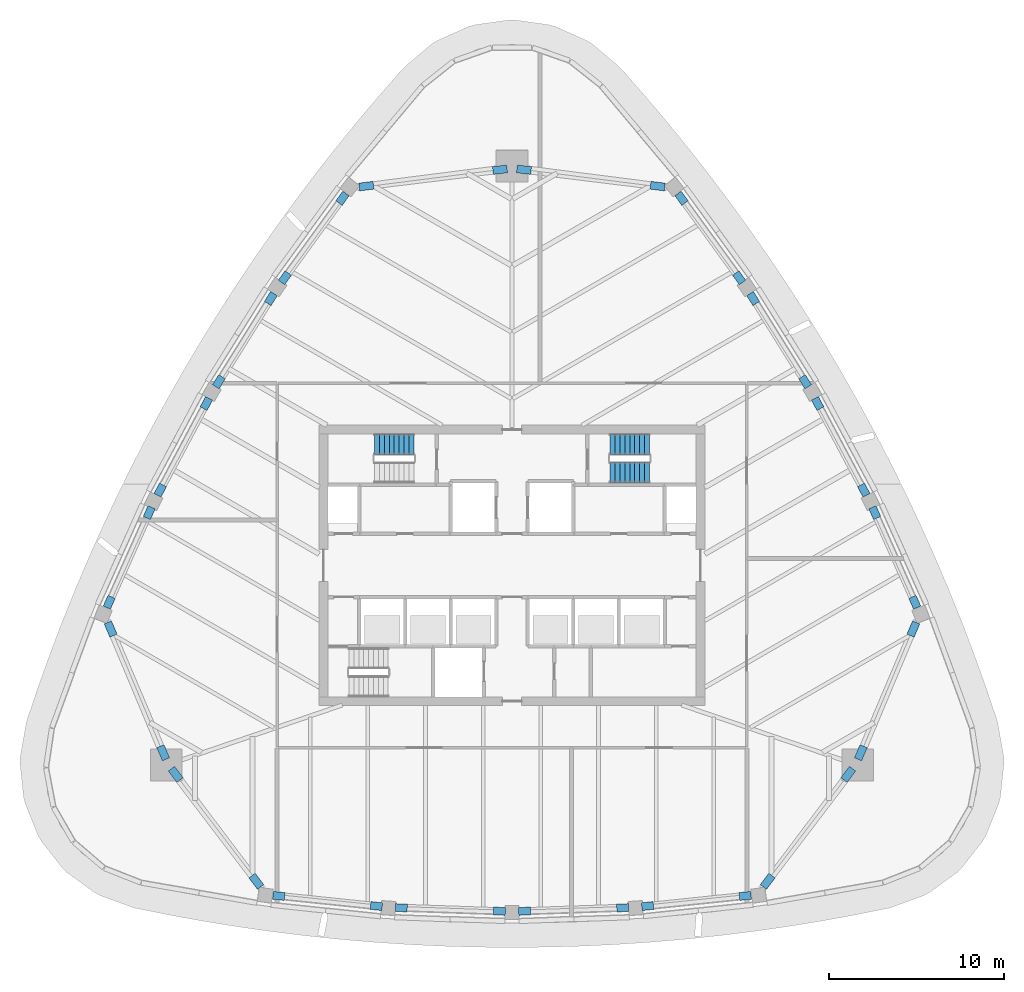
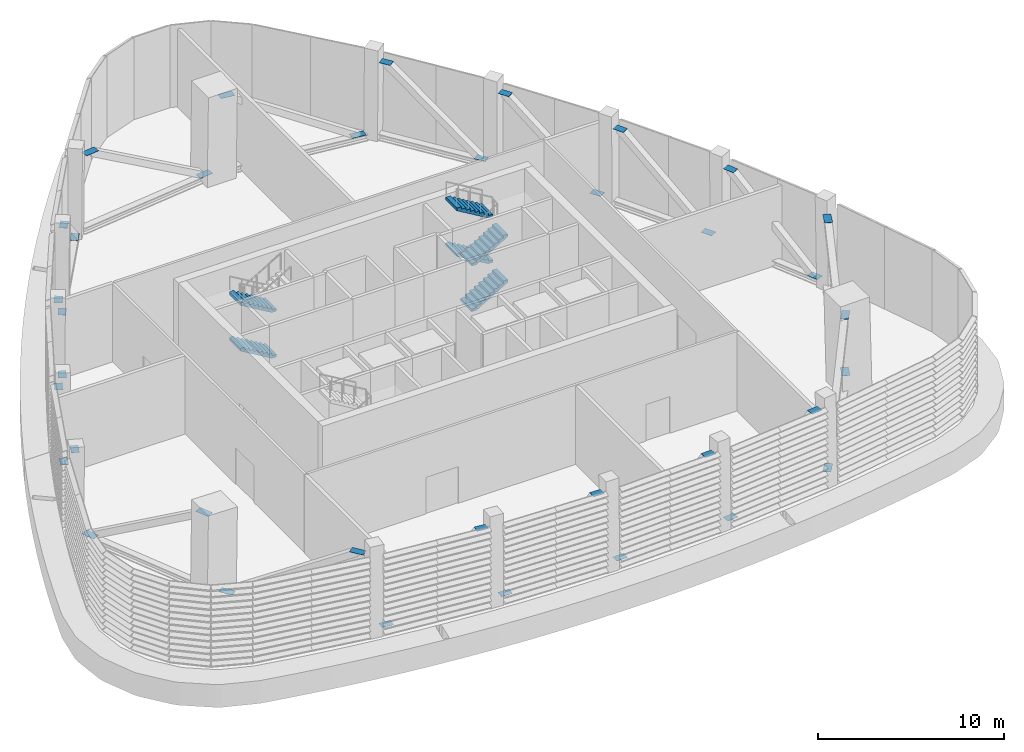
# One storey, part 6 of 15: 36 discrete accessories, 6 stair flights, 2 elements without a shape of their own.
"""IFC4 building model written with IfcOpenShell, lengths in metres."""

from ifc_helpers import new_model, si_unit, direction, frame, origin, origin_2d, place, context, subcontext, project, spatial, polyline, rectangle, outline, extrude, material, type_object, element, aggregate, save


model = new_model("IFC4")

# Units and contexts
model_context = context("Model", 3, precision=1e-05, world=origin(), true_north=direction((0.0, 1.0)))
body_context = subcontext(model_context, "Body", "Model", "MODEL_VIEW")
ifc_project = project(units=[si_unit("LENGTHUNIT", "METRE"), si_unit("AREAUNIT", "SQUARE_METRE"), si_unit("VOLUMEUNIT", "CUBIC_METRE"), si_unit("PLANEANGLEUNIT", "RADIAN"), si_unit("MASSUNIT", "GRAM", prefix="KILO")], contexts=[model_context])

# Site, building, storey
site_placement = place(None, origin())
site = spatial("IfcSite", under=ifc_project, at=site_placement, CompositionType="ELEMENT")
building_placement = place(site_placement, origin())
building = spatial("IfcBuilding", under=site, at=building_placement, Name="Sierra Prisma Convention Tower", CompositionType="ELEMENT")
storey_placement = place(building_placement, frame((0.0, 0.0, 324.39990234375)))
storey = spatial("IfcBuildingStorey", under=building, at=storey_placement, Name="L74", CompositionType="ELEMENT", Elevation=324.39990234375)

# Stair, stair flights
ifc_material_1 = material(Name="Concrete C30/37", Category="concrete")
stair_type = type_object("IfcStairType", Name="Stair dog-leg 1200 RC", PredefinedType="HALF_TURN_STAIR", material=ifc_material_1)
stair_1_placement = place(storey_placement, origin())
stair_1 = element("IfcStair", 1, at=stair_1_placement, inside=storey, type_object=stair_type, Name="L74 S3", PredefinedType="HALF_TURN_STAIR")
ifc_material_2 = material(Name="Concrete C30/37", Category="concrete")
stair_flight_type = type_object("IfcStairFlightType", Name="Stair flight RC 1200", PredefinedType="STRAIGHT", material=ifc_material_2)
stair_flight_1_placement = place(storey_placement, frame((-5.60009765625, 6.89990234375, 0.0), z_axis=(0.0, 0.0, 1.0), x_axis=(-1.0, 0.0, 0.0)))
stair_flight_1 = element("IfcStairFlight", 2, at=stair_flight_1_placement, type_object=stair_flight_type, Name="S3 flight 1", NumberOfRisers=9, NumberOfTreads=8, PredefinedType="STRAIGHT", RiserHeight=0.166666667, TreadLength=0.28, context=body_context, shape_type="SweptSolid", body=[
    extrude(outline(polyline([(0.0, 0.0), (0.0, 0.166748046875), (0.280029296875, 0.166748046875), (0.280029296875, 0.333251953125), (0.56005859375, 0.333251953125), (0.56005859375, 0.5), (0.840087890625, 0.5), (0.840087890625, 0.666748046875), (1.1201171875, 0.666748046875), (1.1201171875, 0.833251953125), (1.39990234375, 0.833251953125), (1.39990234375, 1.0), (1.679931640625, 1.0), (1.679931640625, 1.166748046875), (1.9599609375, 1.166748046875), (1.9599609375, 1.333251953125), (2.239990234375, 1.333251953125), (2.239990234375, 1.5), (2.239990234375, 1.158935546875), (0.29296875, 0.0), (0.0, 0.0)])), frame((0.0, 0.60009765625, 0.0), z_axis=(0.0, -1.0, 0.0), x_axis=(1.0, 0.0, 0.0)), (0.0, 0.0, 1.0), 1.199951171875),
])
stair_flight_2_placement = place(storey_placement, frame((-5.60009765625, 6.89990234375, 3.0), z_axis=(0.0, 0.0, 1.0), x_axis=(-1.0, 0.0, 0.0)))
stair_flight_2 = element("IfcStairFlight", 3, at=stair_flight_2_placement, type_object=stair_flight_type, Name="S3 flight 3", NumberOfRisers=9, NumberOfTreads=8, PredefinedType="STRAIGHT", RiserHeight=0.166666667, TreadLength=0.28, context=body_context, shape_type="SweptSolid", body=[
    extrude(outline(polyline([(0.0, 0.0), (0.0, 0.166748046875), (0.280029296875, 0.166748046875), (0.280029296875, 0.333251953125), (0.56005859375, 0.333251953125), (0.56005859375, 0.5), (0.840087890625, 0.5), (0.840087890625, 0.666748046875), (1.1201171875, 0.666748046875), (1.1201171875, 0.833251953125), (1.39990234375, 0.833251953125), (1.39990234375, 1.0), (1.679931640625, 1.0), (1.679931640625, 1.166748046875), (1.9599609375, 1.166748046875), (1.9599609375, 1.333251953125), (2.239990234375, 1.333251953125), (2.239990234375, 1.5), (2.239990234375, 1.158935546875), (0.29296875, 0.0), (0.0, 0.0)])), frame((0.0, 0.60009765625, 0.0), z_axis=(0.0, -1.0, 0.0), x_axis=(1.0, 0.0, 0.0)), (0.0, 0.0, 1.0), 1.199951171875),
])
aggregate(stair_1, [stair_flight_1, stair_flight_2])

stair_2_placement = place(storey_placement, origin())
stair_2 = element("IfcStair", 4, at=stair_2_placement, inside=storey, type_object=stair_type, Name="L74 S4", PredefinedType="HALF_TURN_STAIR")
stair_flight_3_placement = place(storey_placement, frame((5.60009765625, 5.300048828125, 0.0), z_axis=(0.0, 0.0, 1.0), x_axis=(1.0, 0.0, 0.0)))
stair_flight_3 = element("IfcStairFlight", 5, at=stair_flight_3_placement, type_object=stair_flight_type, Name="S4 flight 1", NumberOfRisers=9, NumberOfTreads=8, PredefinedType="STRAIGHT", RiserHeight=0.166666667, TreadLength=0.28, context=body_context, shape_type="SweptSolid", body=[
    extrude(outline(polyline([(0.0, 0.0), (0.0, 0.166748046875), (0.280029296875, 0.166748046875), (0.280029296875, 0.333251953125), (0.56005859375, 0.333251953125), (0.56005859375, 0.5), (0.840087890625, 0.5), (0.840087890625, 0.666748046875), (1.1201171875, 0.666748046875), (1.1201171875, 0.833251953125), (1.39990234375, 0.833251953125), (1.39990234375, 1.0), (1.679931640625, 1.0), (1.679931640625, 1.166748046875), (1.9599609375, 1.166748046875), (1.9599609375, 1.333251953125), (2.239990234375, 1.333251953125), (2.239990234375, 1.5), (2.239990234375, 1.158935546875), (0.29296875, 0.0), (0.0, 0.0)])), frame((0.0, 0.60009765625, 0.0), z_axis=(0.0, -1.0, 0.0), x_axis=(1.0, 0.0, 0.0)), (0.0, 0.0, 1.0), 1.199951171875),
])
stair_flight_4_placement = place(storey_placement, frame((7.840087890625, 6.89990234375, 1.5), z_axis=(0.0, 0.0, 1.0), x_axis=(-1.0, 0.0, 0.0)))
stair_flight_4 = element("IfcStairFlight", 6, at=stair_flight_4_placement, type_object=stair_flight_type, Name="S4 flight 2", NumberOfRisers=9, NumberOfTreads=8, PredefinedType="STRAIGHT", RiserHeight=0.166666667, TreadLength=0.28, context=body_context, shape_type="SweptSolid", body=[
    extrude(outline(polyline([(0.0, 0.0), (0.0, 0.166748046875), (0.280029296875, 0.166748046875), (0.280029296875, 0.333251953125), (0.56005859375, 0.333251953125), (0.56005859375, 0.5), (0.840087890625, 0.5), (0.840087890625, 0.666748046875), (1.1201171875, 0.666748046875), (1.1201171875, 0.833251953125), (1.39990234375, 0.833251953125), (1.39990234375, 1.0), (1.679931640625, 1.0), (1.679931640625, 1.166748046875), (1.9599609375, 1.166748046875), (1.9599609375, 1.333251953125), (2.239990234375, 1.333251953125), (2.239990234375, 1.5), (2.239990234375, 1.158935546875), (0.29296875, 0.0), (0.0, 0.0)])), frame((0.0, 0.60009765625, 0.0), z_axis=(0.0, -1.0, 0.0), x_axis=(1.0, 0.0, 0.0)), (0.0, 0.0, 1.0), 1.199951171875),
])
stair_flight_5_placement = place(storey_placement, frame((5.60009765625, 5.300048828125, 3.0), z_axis=(0.0, 0.0, 1.0), x_axis=(1.0, 0.0, 0.0)))
stair_flight_5 = element("IfcStairFlight", 7, at=stair_flight_5_placement, type_object=stair_flight_type, Name="S4 flight 3", NumberOfRisers=9, NumberOfTreads=8, PredefinedType="STRAIGHT", RiserHeight=0.166666667, TreadLength=0.28, context=body_context, shape_type="SweptSolid", body=[
    extrude(outline(polyline([(0.0, 0.0), (0.0, 0.166748046875), (0.280029296875, 0.166748046875), (0.280029296875, 0.333251953125), (0.56005859375, 0.333251953125), (0.56005859375, 0.5), (0.840087890625, 0.5), (0.840087890625, 0.666748046875), (1.1201171875, 0.666748046875), (1.1201171875, 0.833251953125), (1.39990234375, 0.833251953125), (1.39990234375, 1.0), (1.679931640625, 1.0), (1.679931640625, 1.166748046875), (1.9599609375, 1.166748046875), (1.9599609375, 1.333251953125), (2.239990234375, 1.333251953125), (2.239990234375, 1.5), (2.239990234375, 1.158935546875), (0.29296875, 0.0), (0.0, 0.0)])), frame((0.0, 0.60009765625, 0.0), z_axis=(0.0, -1.0, 0.0), x_axis=(1.0, 0.0, 0.0)), (0.0, 0.0, 1.0), 1.199951171875),
])
stair_flight_6_placement = place(storey_placement, frame((7.840087890625, 6.89990234375, 4.5), z_axis=(0.0, 0.0, 1.0), x_axis=(-1.0, 0.0, 0.0)))
stair_flight_6 = element("IfcStairFlight", 8, at=stair_flight_6_placement, type_object=stair_flight_type, Name="S4 flight 4", NumberOfRisers=9, NumberOfTreads=8, PredefinedType="STRAIGHT", RiserHeight=0.166666667, TreadLength=0.28, context=body_context, shape_type="SweptSolid", body=[
    extrude(outline(polyline([(0.0, 0.0), (0.0, 0.166748046875), (0.280029296875, 0.166748046875), (0.280029296875, 0.333251953125), (0.56005859375, 0.333251953125), (0.56005859375, 0.5), (0.840087890625, 0.5), (0.840087890625, 0.666748046875), (1.1201171875, 0.666748046875), (1.1201171875, 0.833251953125), (1.39990234375, 0.833251953125), (1.39990234375, 1.0), (1.679931640625, 1.0), (1.679931640625, 1.166748046875), (1.9599609375, 1.166748046875), (1.9599609375, 1.333251953125), (2.239990234375, 1.333251953125), (2.239990234375, 1.5), (2.239990234375, 1.158935546875), (0.29296875, 0.0), (0.0, 0.0)])), frame((0.0, 0.60009765625, 0.0), z_axis=(0.0, -1.0, 0.0), x_axis=(1.0, 0.0, 0.0)), (0.0, 0.0, 1.0), 1.199951171875),
])
aggregate(stair_2, [stair_flight_3, stair_flight_4, stair_flight_5, stair_flight_6])

# Discrete accessories
ifc_material_3 = material(Name="Steel ASTM A992 Gr 50", Category="steel")
discrete_accessory_type = type_object("IfcDiscreteAccessoryType", Name="Truss end plate", PredefinedType="BRACKET", material=ifc_material_3)
for number, where, z_axis, x_axis, name in (
    (9, (-19.184326171875, -11.9140625, 0.4072265625), (0.0, 0.0, 1.0), (0.601845688111, -0.798612401421, 0.0), "Belt truss L74-01 diagonal 1 foot end plate"),
    (10, (-14.58642578125, -18.01513671875, 5.1181640625), (0.0, 0.0, 1.0), (0.601845688111, -0.798612401421, 0.0), "Belt truss L74-01 diagonal 1 head end plate"),
):
    element("IfcDiscreteAccessory", number, at=place(storey_placement, frame(where, z_axis=z_axis, x_axis=x_axis)), inside=storey, type_object=discrete_accessory_type, Name=name, PredefinedType="BRACKET", context=body_context, shape_type="SweptSolid", body=[
        extrude(rectangle(XDim=0.81201171875, YDim=0.446044921875, at=origin_2d()), origin(), (0.0, 0.0, 1.0), 0.014892578125),
    ])
for number, where, z_axis, x_axis, name in (
    (11, (-13.302978515625, -18.8486328125, 0.4072265625), (0.0, 0.0, 1.0), (0.994619246184, -0.103598045933, 0.0), "Belt truss L74-02 diagonal 1 foot end plate"),
    (12, (-7.735107421875, -19.428466796875, 5.1181640625), (0.0, 0.0, 1.0), (0.994619246184, -0.103598045933, 0.0), "Belt truss L74-02 diagonal 1 head end plate"),
    (13, (-6.309326171875, -19.52734375, 0.4072265625), (0.0, 0.0, 1.0), (0.999401620969, -0.034589015667, 0.0), "Belt truss L74-03 diagonal 1 foot end plate"),
    (14, (-0.714599609375, -19.720947265625, 5.1181640625), (0.0, 0.0, 1.0), (0.999401620969, -0.034589015667, 0.0), "Belt truss L74-03 diagonal 1 head end plate"),
    (15, (0.714599609375, -19.720947265625, 0.4072265625), (0.0, 0.0, 1.0), (0.999401620969, 0.034589015667, 0.0), "Belt truss L74-04 diagonal 1 foot end plate"),
    (16, (6.309326171875, -19.52734375, 5.1181640625), (0.0, 0.0, 1.0), (0.999401620969, 0.034589015667, 0.0), "Belt truss L74-04 diagonal 1 head end plate"),
    (17, (7.735107421875, -19.428466796875, 0.4072265625), (0.0, 0.0, 1.0), (0.994619246184, 0.103598045933, 0.0), "Belt truss L74-05 diagonal 1 foot end plate"),
    (18, (13.302978515625, -18.8486328125, 5.1181640625), (0.0, 0.0, 1.0), (0.994619246184, 0.103598045933, 0.0), "Belt truss L74-05 diagonal 1 head end plate"),
):
    element("IfcDiscreteAccessory", number, at=place(storey_placement, frame(where, z_axis=z_axis, x_axis=x_axis)), inside=storey, type_object=discrete_accessory_type, Name=name, PredefinedType="BRACKET", context=body_context, shape_type="SweptSolid", body=[
        extrude(rectangle(XDim=0.6689453125, YDim=0.446044921875, at=origin_2d()), origin(), (0.0, 0.0, 1.0), 0.014892578125),
    ])
for number, where, z_axis, x_axis, name in (
    (19, (14.58642578125, -18.01513671875, 0.4072265625), (0.0, 0.0, 1.0), (0.601845688111, 0.798612401421, 0.0), "Belt truss L74-06 diagonal 1 foot end plate"),
    (20, (19.184326171875, -11.9140625, 5.1181640625), (0.0, 0.0, 1.0), (0.601845688111, 0.798612401421, 0.0), "Belt truss L74-06 diagonal 1 head end plate"),
):
    element("IfcDiscreteAccessory", number, at=place(storey_placement, frame(where, z_axis=z_axis, x_axis=x_axis)), inside=storey, type_object=discrete_accessory_type, Name=name, PredefinedType="BRACKET", context=body_context, shape_type="SweptSolid", body=[
        extrude(rectangle(XDim=0.81201171875, YDim=0.446044921875, at=origin_2d()), origin(), (0.0, 0.0, 1.0), 0.014892578125),
    ])
for number, where, z_axis, x_axis, name in (
    (21, (19.898681640625, -10.68359375, 0.4072265625), (0.0, 0.0, 1.0), (0.390695783352, 0.920519855772, 0.0), "Belt truss L74-07 diagonal 1 foot end plate"),
    (22, (22.894287109375, -3.62548828125, 5.1181640625), (0.0, 0.0, 1.0), (0.390695783352, 0.920519855772, 0.0), "Belt truss L74-07 diagonal 1 head end plate"),
):
    element("IfcDiscreteAccessory", number, at=place(storey_placement, frame(where, z_axis=z_axis, x_axis=x_axis)), inside=storey, type_object=discrete_accessory_type, Name=name, PredefinedType="BRACKET", context=body_context, shape_type="SweptSolid", body=[
        extrude(rectangle(XDim=0.81396484375, YDim=0.446044921875, at=origin_2d()), origin(), (0.0, 0.0, 1.0), 0.014892578125),
    ])
for number, where, z_axis, x_axis, name in (
    (23, (22.974853515625, -2.096435546875, 0.4072265625), (0.0, 0.0, 1.0), (-0.407592677304, 0.913163845872, 0.0), "Belt truss L74-08 diagonal 1 foot end plate"),
    (24, (20.693115234375, 3.015625, 5.1181640625), (0.0, 0.0, 1.0), (-0.407592677304, 0.913163845872, 0.0), "Belt truss L74-08 diagonal 1 head end plate"),
    (25, (20.06591796875, 4.299560546875, 0.4072265625), (0.0, 0.0, 1.0), (-0.469738140309, 0.882805799448, 0.0), "Belt truss L74-09 diagonal 1 foot end plate"),
    (26, (17.43603515625, 9.24169921875, 5.1181640625), (0.0, 0.0, 1.0), (-0.469738140309, 0.882805799448, 0.0), "Belt truss L74-09 diagonal 1 head end plate"),
    (27, (16.7216796875, 10.479248046875, 0.4072265625), (0.0, 0.0, 1.0), (-0.529660217968, 0.848209911226, 0.0), "Belt truss L74-10 diagonal 1 foot end plate"),
    (28, (13.756591796875, 15.227783203125, 5.1181640625), (0.0, 0.0, 1.0), (-0.529660217968, 0.848209911226, 0.0), "Belt truss L74-10 diagonal 1 head end plate"),
    (29, (12.9580078125, 16.4130859375, 0.4072265625), (0.0, 0.0, 1.0), (-0.587029575611, 0.809565486763, 0.0), "Belt truss L74-11 diagonal 1 foot end plate"),
    (30, (9.671875, 20.945068359375, 5.1181640625), (0.0, 0.0, 1.0), (-0.587029575611, 0.809565486763, 0.0), "Belt truss L74-11 diagonal 1 head end plate"),
):
    element("IfcDiscreteAccessory", number, at=place(storey_placement, frame(where, z_axis=z_axis, x_axis=x_axis)), inside=storey, type_object=discrete_accessory_type, Name=name, PredefinedType="BRACKET", context=body_context, shape_type="SweptSolid", body=[
        extrude(rectangle(XDim=0.6689453125, YDim=0.446044921875, at=origin_2d()), origin(), (0.0, 0.0, 1.0), 0.014892578125),
    ])
for number, where, z_axis, x_axis, name in (
    (31, (8.306884765625, 21.639892578125, 0.4072265625), (0.0, 0.0, 1.0), (-0.992541471463, 0.121907454352, 0.0), "Belt truss L74-12 diagonal 1 foot end plate"),
    (32, (0.68359375, 22.576416015625, 5.1181640625), (0.0, 0.0, 1.0), (-0.992541471463, 0.121907454352, 0.0), "Belt truss L74-12 diagonal 1 head end plate"),
    (33, (-0.68359375, 22.576416015625, 0.4072265625), (0.0, 0.0, 1.0), (-0.992541471463, -0.121907454352, 0.0), "Belt truss L74-13 diagonal 1 foot end plate"),
    (34, (-8.306884765625, 21.639892578125, 5.1181640625), (0.0, 0.0, 1.0), (-0.992541471463, -0.121907454352, 0.0), "Belt truss L74-13 diagonal 1 head end plate"),
):
    element("IfcDiscreteAccessory", number, at=place(storey_placement, frame(where, z_axis=z_axis, x_axis=x_axis)), inside=storey, type_object=discrete_accessory_type, Name=name, PredefinedType="BRACKET", context=body_context, shape_type="SweptSolid", body=[
        extrude(rectangle(XDim=0.81494140625, YDim=0.446044921875, at=origin_2d()), origin(), (0.0, 0.0, 1.0), 0.014892578125),
    ])
for number, where, z_axis, x_axis, name in (
    (35, (-9.671875, 20.945068359375, 0.4072265625), (0.0, 0.0, 1.0), (-0.587029575611, -0.809565486763, 0.0), "Belt truss L74-14 diagonal 1 foot end plate"),
    (36, (-12.9580078125, 16.4130859375, 5.1181640625), (0.0, 0.0, 1.0), (-0.587029575611, -0.809565486763, 0.0), "Belt truss L74-14 diagonal 1 head end plate"),
    (37, (-13.756591796875, 15.227783203125, 0.4072265625), (0.0, 0.0, 1.0), (-0.529660217968, -0.848209911226, 0.0), "Belt truss L74-15 diagonal 1 foot end plate"),
    (38, (-16.7216796875, 10.479248046875, 5.1181640625), (0.0, 0.0, 1.0), (-0.529660217968, -0.848209911226, 0.0), "Belt truss L74-15 diagonal 1 head end plate"),
    (39, (-17.43603515625, 9.24169921875, 0.4072265625), (0.0, 0.0, 1.0), (-0.469738140309, -0.882805799448, 0.0), "Belt truss L74-16 diagonal 1 foot end plate"),
    (40, (-20.06591796875, 4.299560546875, 5.1181640625), (0.0, 0.0, 1.0), (-0.469738140309, -0.882805799448, 0.0), "Belt truss L74-16 diagonal 1 head end plate"),
    (41, (-20.693115234375, 3.015625, 0.4072265625), (0.0, 0.0, 1.0), (-0.407592677304, -0.913163845872, 0.0), "Belt truss L74-17 diagonal 1 foot end plate"),
    (42, (-22.974853515625, -2.096435546875, 5.1181640625), (0.0, 0.0, 1.0), (-0.407592677304, -0.913163845872, 0.0), "Belt truss L74-17 diagonal 1 head end plate"),
):
    element("IfcDiscreteAccessory", number, at=place(storey_placement, frame(where, z_axis=z_axis, x_axis=x_axis)), inside=storey, type_object=discrete_accessory_type, Name=name, PredefinedType="BRACKET", context=body_context, shape_type="SweptSolid", body=[
        extrude(rectangle(XDim=0.6689453125, YDim=0.446044921875, at=origin_2d()), origin(), (0.0, 0.0, 1.0), 0.014892578125),
    ])
for number, where, z_axis, x_axis, name in (
    (43, (-22.894287109375, -3.62548828125, 0.4072265625), (0.0, 0.0, 1.0), (0.390695783352, -0.920519855772, 0.0), "Belt truss L74-18 diagonal 1 foot end plate"),
    (44, (-19.898681640625, -10.68359375, 5.1181640625), (0.0, 0.0, 1.0), (0.390695783352, -0.920519855772, 0.0), "Belt truss L74-18 diagonal 1 head end plate"),
):
    element("IfcDiscreteAccessory", number, at=place(storey_placement, frame(where, z_axis=z_axis, x_axis=x_axis)), inside=storey, type_object=discrete_accessory_type, Name=name, PredefinedType="BRACKET", context=body_context, shape_type="SweptSolid", body=[
        extrude(rectangle(XDim=0.81396484375, YDim=0.446044921875, at=origin_2d()), origin(), (0.0, 0.0, 1.0), 0.014892578125),
    ])

save(model, "model.ifc")
